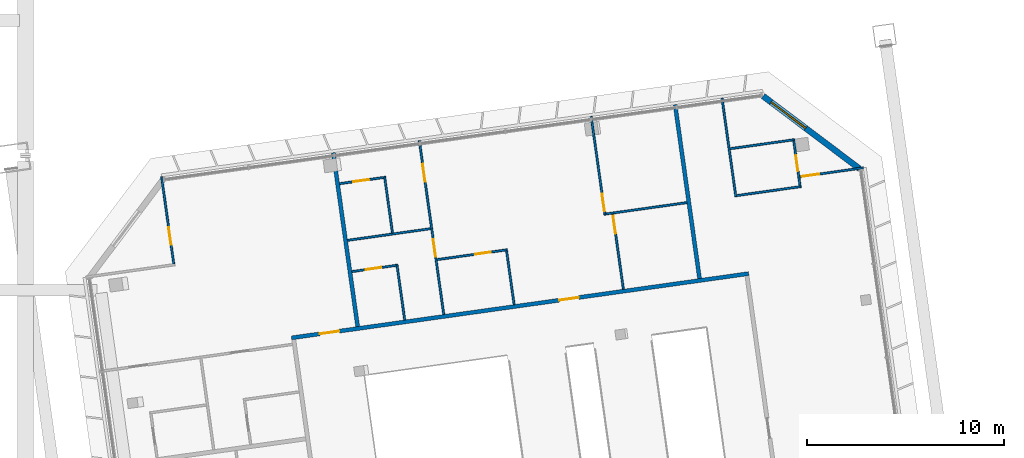
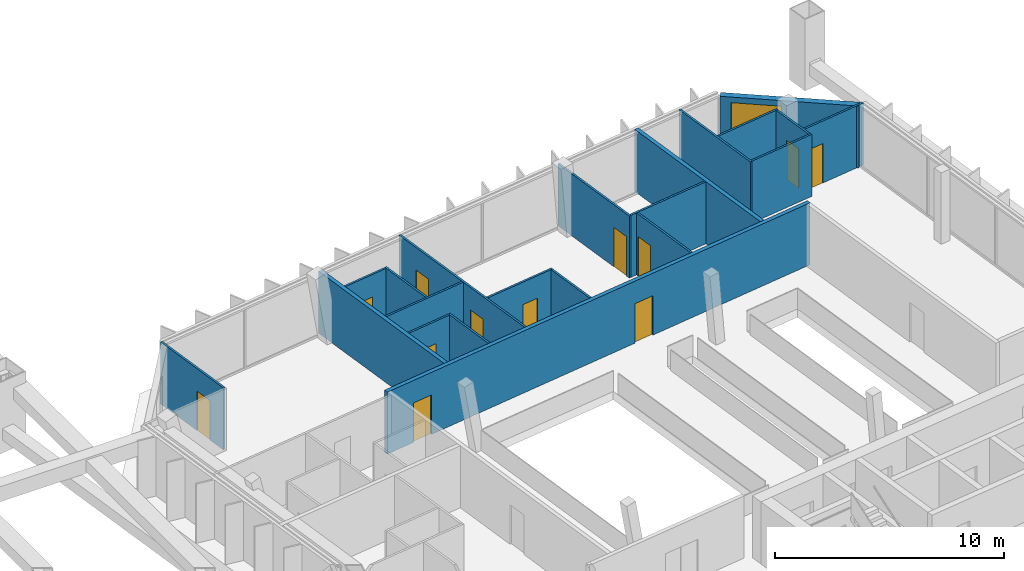
# One storey, part 26 of 36: 21 walls, 12 doors, 1 window, 13 openings.
"""IFC4 building model written with IfcOpenShell, lengths in metres."""

import ifcopenshell
import ifcopenshell.guid

model = None  # the IFC model being written
_history = None  # IfcOwnerHistory: only IFC2X3 demands one
_inside = {}  # id of a spatial element -> (the spatial element, [elements in it])
_under = {}  # id of a project, library or spatial element -> (it, [spatial elements below it])
_declared = {}  # id of a project -> (the project, [libraries it declares])
_typed = {}  # id of a type object -> (the type object, [elements of that type])
_made_of = {}  # id of a material, layer set ... -> (it, [elements and type objects made of it])


def new_model(schema):
    """Start an empty IFC model of exactly this schema.

    Asked for "IFC4X3", IfcOpenShell would pick the latest addendum, in which some entities
    have other attributes; the version numbers below select the first issue.
    IFC2X3 requires an IfcOwnerHistory on every rooted entity: one is made here for all.
    """
    global model, _history
    if schema == "IFC4X3":
        model = ifcopenshell.file(schema_version=(4, 3, 0, 0))
    else:
        model = ifcopenshell.file(schema=schema)
    _inside.clear()
    _under.clear()
    _declared.clear()
    _typed.clear()
    _made_of.clear()
    _history = None
    if model.schema == "IFC2X3":
        org = make("IfcOrganization", Name="unknown")
        user = make(
            "IfcPersonAndOrganization",
            ThePerson=make("IfcPerson", FamilyName="unknown"),
            TheOrganization=org,
        )
        app = make(
            "IfcApplication",
            ApplicationDeveloper=org,
            Version="unknown",
            ApplicationFullName="unknown",
            ApplicationIdentifier="unknown",
        )
        _history = make(
            "IfcOwnerHistory",
            OwningUser=user,
            OwningApplication=app,
            ChangeAction="ADDED",
            CreationDate=0,
        )
    return model


def make(cls, **values):
    """One entity of the class cls with the attributes given. An attribute that is None is left unset."""
    return model.create_entity(
        cls, **{name: value for name, value in values.items() if value is not None}
    )


def rooted(cls, **values):
    """An entity with a GlobalId (a new one), such as an element, a storey or a relation."""
    return make(cls, GlobalId=ifcopenshell.guid.new(), OwnerHistory=_history, **values)


def si_unit(unit_type, name, prefix=None):
    """IfcSIUnit, for example si_unit("LENGTHUNIT", "METRE", prefix="MILLI")."""
    return make("IfcSIUnit", UnitType=unit_type, Prefix=prefix, Name=name)


def assignment(units):
    """IfcUnitAssignment: the units of a project."""
    return None if units is None else make("IfcUnitAssignment", Units=units)


def point(xyz):
    """IfcCartesianPoint."""
    return None if xyz is None else make("IfcCartesianPoint", Coordinates=xyz)


def direction(xyz):
    """IfcDirection."""
    return None if xyz is None else make("IfcDirection", DirectionRatios=xyz)


def frame(location, z_axis=None, x_axis=None):
    """IfcAxis2Placement3D, a coordinate frame: its origin and axes. An axis left out is left unset."""
    return make(
        "IfcAxis2Placement3D",
        Location=point(location),
        Axis=direction(z_axis),
        RefDirection=direction(x_axis),
    )


def frame_2d(location, x_axis=None):
    """IfcAxis2Placement2D, a coordinate frame in the plane: its origin and x axis."""
    return make(
        "IfcAxis2Placement2D", Location=point(location), RefDirection=direction(x_axis)
    )


def origin():
    """The frame at (0, 0, 0) with its axes left unset."""
    return frame((0.0, 0.0, 0.0))


def place(relative_to, where):
    """IfcLocalPlacement: puts the frame where relative to a parent placement (None: the world)."""
    return make(
        "IfcLocalPlacement", PlacementRelTo=relative_to, RelativePlacement=where
    )


def context(
    kind, dimensions, precision=None, world=None, true_north=None, identifier=None
):
    """IfcGeometricRepresentationContext, for example the 3D "Model" context."""
    return make(
        "IfcGeometricRepresentationContext",
        ContextIdentifier=identifier,
        ContextType=kind,
        CoordinateSpaceDimension=dimensions,
        Precision=precision,
        WorldCoordinateSystem=world,
        TrueNorth=true_north,
    )


def subcontext(parent, identifier, kind, view, scale=None):
    """IfcGeometricRepresentationSubContext, for example "Body" below "Model"."""
    return make(
        "IfcGeometricRepresentationSubContext",
        ContextIdentifier=identifier,
        ContextType=kind,
        ParentContext=parent,
        TargetScale=scale,
        TargetView=view,
    )


def project(units=None, contexts=None):
    """IfcProject with its units and contexts."""
    return rooted(
        "IfcProject",
        Name="project",
        RepresentationContexts=contexts,
        UnitsInContext=assignment(units),
    )


def spatial(cls, under=None, at=None, **own):
    """A site, building, storey or space (cls), placed at a placement, below another one or the project."""
    s = rooted(cls, ObjectPlacement=at, **own)
    if under is not None:
        _under.setdefault(under.id(), (under, []))[1].append(s)
    return s


def profile(cls, at=None, kind="AREA", **sizes):
    """A parametric profile (cls). Its sizes go by their IFC names, for example OverallWidth=200.0."""
    return make(cls, ProfileType=kind, Position=at, **sizes)


def rectangle(**sizes):
    """IfcRectangleProfileDef."""
    return profile("IfcRectangleProfileDef", **sizes)


def extrude(swept, where, along, depth):
    """IfcExtrudedAreaSolid: the profile swept, set in the frame where, extruded along a direction by depth."""
    return make(
        "IfcExtrudedAreaSolid",
        SweptArea=swept,
        Position=where,
        ExtrudedDirection=direction(along),
        Depth=depth,
    )


def shape(context_of_items, identifier, shape_type, items):
    """IfcShapeRepresentation: the items that make up one representation, for example the "Body"."""
    return make(
        "IfcShapeRepresentation",
        ContextOfItems=context_of_items,
        RepresentationIdentifier=identifier,
        RepresentationType=shape_type,
        Items=items,
    )


def material(Name=None, Category=None):
    """IfcMaterial."""
    return make("IfcMaterial", Name=Name, Category=Category)


def layer(
    of_material, thickness, ventilated=None, Name=None, Category=None, Priority=None
):
    """IfcMaterialLayer: one layer of a wall or slab, of a material (None: an air gap)."""
    return make(
        "IfcMaterialLayer",
        Material=of_material,
        LayerThickness=thickness,
        IsVentilated=ventilated,
        Name=Name,
        Category=Category,
        Priority=Priority,
    )


def layer_set(layers, Name=None):
    """IfcMaterialLayerSet."""
    return make("IfcMaterialLayerSet", MaterialLayers=layers, LayerSetName=Name)


def made_of(thing, what):
    """Note that an element or type object is made of a material, layer set ...; save() writes the relation."""
    if what is not None:
        _made_of.setdefault(what.id(), (what, []))[1].append(thing)
    return thing


def type_object(cls, material=None, **own):
    """A type object (cls), such as IfcWallType, which elements share."""
    return made_of(rooted(cls, **own), material)


def element(
    cls,
    number,
    at=None,
    inside=None,
    cuts=None,
    type_object=None,
    material=None,
    context=None,
    identifier="Body",
    shape_type=None,
    held_by="IfcProductDefinitionShape",
    body=None,
    shapes=None,
    **own,
):
    """One element of the class cls, such as IfcWall. Its Tag is "e" and its number.

    at: its placement. inside: the storey or other place that contains it. cuts: it is an
    opening in that element (IfcRelVoidsElement). A single representation is given by context,
    identifier, shape_type and body (its items); several are given by shapes. held_by: the class
    of the entity that holds the representations. save() writes the other relations.
    """
    e = rooted(cls, Tag="e%d" % number, ObjectPlacement=at, **own)
    if body is not None:
        shapes = [shape(context, identifier, shape_type, body)]
    if shapes is not None:
        e.Representation = make(held_by, Representations=shapes)
    if inside is not None:
        _inside.setdefault(inside.id(), (inside, []))[1].append(e)
    if cuts is not None:
        rooted(
            "IfcRelVoidsElement", RelatingBuildingElement=cuts, RelatedOpeningElement=e
        )
    if type_object is not None:
        _typed.setdefault(type_object.id(), (type_object, []))[1].append(e)
    return made_of(e, material)


def fill(opening, filler):
    """IfcRelFillsElement: the door or window that sits in an opening."""
    return rooted(
        "IfcRelFillsElement",
        RelatingOpeningElement=opening,
        RelatedBuildingElement=filler,
    )


def aggregate(whole, parts):
    """IfcRelAggregates: a whole, such as a stair, and the parts it consists of."""
    return rooted("IfcRelAggregates", RelatingObject=whole, RelatedObjects=parts)


def save(model, path):
    """Write the relations noted so far, then the file.

    IfcRelAggregates (storeys below a building ...), IfcRelContainedInSpatialStructure (elements
    in a storey), IfcRelDefinesByType, IfcRelAssociatesMaterial and IfcRelDeclares: one each for
    every whole, place, type object, material and project.
    """
    for whole, parts in _under.values():
        aggregate(whole, parts)
    for where, things in _inside.values():
        rooted(
            "IfcRelContainedInSpatialStructure",
            RelatedElements=things,
            RelatingStructure=where,
        )
    for kind, things in _typed.values():
        rooted("IfcRelDefinesByType", RelatedObjects=things, RelatingType=kind)
    for what, things in _made_of.values():
        rooted("IfcRelAssociatesMaterial", RelatedObjects=things, RelatingMaterial=what)
    for by, libraries in _declared.values():
        rooted("IfcRelDeclares", RelatingContext=by, RelatedDefinitions=libraries)
    model.write(path)


model = new_model("IFC4")

# Units and contexts
model_context = context("Model", 3, precision=1e-05, world=origin(), true_north=direction((0.0, 1.0)))
body_context = subcontext(model_context, "Body", "Model", "MODEL_VIEW")
ifc_project = project(units=[si_unit("LENGTHUNIT", "METRE"), si_unit("AREAUNIT", "SQUARE_METRE"), si_unit("VOLUMEUNIT", "CUBIC_METRE"), si_unit("PLANEANGLEUNIT", "RADIAN"), si_unit("MASSUNIT", "GRAM", prefix="KILO")], contexts=[model_context])

# Site, building, storey
site_placement = place(None, origin())
site = spatial("IfcSite", under=ifc_project, at=site_placement, CompositionType="ELEMENT")
building_placement = place(site_placement, origin())
building = spatial("IfcBuilding", under=site, at=building_placement, Name="Mirante Cascada Hotel Towers", CompositionType="ELEMENT")
storey_placement = place(building_placement, frame((0.0, 0.0, 254.6)))
storey = spatial("IfcBuildingStorey", under=building, at=storey_placement, Name="L61", CompositionType="ELEMENT", Elevation=254.6)

# Wall, openings, doors
ifc_material_1 = material(Name="Fire-rated plasterboard on metal studs")
ifc_layer_1 = layer(ifc_material_1, 0.2)
ifc_layer_set_1 = layer_set([ifc_layer_1], Name="Compartment wall 200 EI 120")
wall_type_1 = type_object("IfcWallType", Name="Compartment wall 200 EI 120", PredefinedType="PARTITIONING", material=ifc_layer_set_1)
wall_1_placement = place(storey_placement, frame((48.9088, 10.7557, 0.0), z_axis=(0.0, 0.0, 1.0), x_axis=(-0.9902684, -0.1391708, 0.0)))
wall_1 = element("IfcWall", 1, at=wall_1_placement, inside=storey, type_object=wall_type_1, Name="Wall 2-L61-15", PredefinedType="PARTITIONING", context=body_context, shape_type="SweptSolid", body=[
    extrude(rectangle(XDim=23.4, YDim=0.2, at=frame_2d((11.7, 0.0))), origin(), (0.0, 0.0, 1.0), 3.3),
])
opening_1_placement = place(wall_1_placement, frame((20.95, 0.0, 0.0)))
opening_1 = element("IfcOpeningElement", 2, at=opening_1_placement, cuts=wall_1, Name="Opening D2-L61-07", PredefinedType="OPENING", context=body_context, shape_type="SweptSolid", body=[
    extrude(rectangle(XDim=1.0, YDim=2.1, at=frame_2d((0.5, 1.05))), frame((0.0, 0.1, 0.0), z_axis=(0.0, -1.0, 0.0), x_axis=(1.0, 0.0, 0.0)), (0.0, 0.0, 1.0), 0.2),
])
opening_2_placement = place(wall_1_placement, frame((8.6948, 0.0, 0.0)))
opening_2 = element("IfcOpeningElement", 3, at=opening_2_placement, cuts=wall_1, Name="Opening D2-L61-08", PredefinedType="OPENING", context=body_context, shape_type="SweptSolid", body=[
    extrude(rectangle(XDim=1.0, YDim=2.1, at=frame_2d((0.5, 1.05))), frame((0.0, 0.1, 0.0), z_axis=(0.0, -1.0, 0.0), x_axis=(1.0, 0.0, 0.0)), (0.0, 0.0, 1.0), 0.2),
])
ifc_material_2 = material(Name="Fire-rated timber door leaf", Category="wood")
door_type_1 = type_object("IfcDoorType", Name="Entrance door DG1 1000x2100 EI 60", OperationType="SINGLE_SWING_LEFT", PredefinedType="DOOR", material=ifc_material_2)
door_1_placement = place(opening_1_placement, frame((1.0, 0.0, 0.0), z_axis=(0.0, 0.0, 1.0), x_axis=(-1.0, 0.0, 0.0)))
door_1 = element("IfcDoor", 4, at=door_1_placement, inside=storey, type_object=door_type_1, Name="Door D2-L61-07", OperationType="SINGLE_SWING_RIGHT", OverallHeight=2.1, OverallWidth=1.0, PredefinedType="DOOR", context=body_context, shape_type="SweptSolid", body=[
    extrude(rectangle(XDim=1.0, YDim=2.1, at=frame_2d((0.5, 1.05))), frame((0.0, 0.025, 0.0), z_axis=(0.0, -1.0, 0.0), x_axis=(1.0, 0.0, 0.0)), (0.0, 0.0, 1.0), 0.05),
])
fill(opening_1, door_1)
door_2_placement = place(opening_2_placement, frame((1.0, 0.0, 0.0), z_axis=(0.0, 0.0, 1.0), x_axis=(-1.0, 0.0, 0.0)))
door_2 = element("IfcDoor", 5, at=door_2_placement, inside=storey, type_object=door_type_1, Name="Door D2-L61-08", OperationType="SINGLE_SWING_RIGHT", OverallHeight=2.1, OverallWidth=1.0, PredefinedType="DOOR", context=body_context, shape_type="SweptSolid", body=[
    extrude(rectangle(XDim=1.0, YDim=2.1, at=frame_2d((0.5, 1.05))), frame((0.0, 0.025, 0.0), z_axis=(0.0, -1.0, 0.0), x_axis=(1.0, 0.0, 0.0)), (0.0, 0.0, 1.0), 0.05),
])
fill(opening_2, door_2)

# Walls
for number, where, z_axis, x_axis, name in (
    (6, (27.8508, 16.8847, 0.0), (0.0, 0.0, 1.0), (0.1391794, -0.9902672, 0.0), "Wall 2-L61-39"),
    (7, (46.4192, 10.5068, 0.0), (0.0, 0.0, 1.0), (-0.1391794, 0.9902672, 0.0), "Wall 2-L61-46"),
):
    element("IfcWall", number, at=place(storey_placement, frame(where, z_axis=z_axis, x_axis=x_axis)), inside=storey, type_object=wall_type_1, Name=name, PredefinedType="PARTITIONING", context=body_context, shape_type="SweptSolid", body=[
        extrude(rectangle(XDim=8.9, YDim=0.2, at=frame_2d((4.45, 0.0))), origin(), (0.0, 0.0, 1.0), 3.3),
    ])

# Wall, opening, door
ifc_material_3 = material(Name="Plasterboard on metal studs")
ifc_layer_2 = layer(ifc_material_3, 0.1)
ifc_layer_set_2 = layer_set([ifc_layer_2], Name="Partition 100")
wall_type_2 = type_object("IfcWallType", Name="Partition 100", PredefinedType="PARTITIONING", material=ifc_layer_set_2)
wall_2_placement = place(storey_placement, frame((28.7988, 10.858, 0.0), z_axis=(0.0, 0.0, 1.0), x_axis=(0.990271, 0.1391524, 0.0)))
wall_2 = element("IfcWall", 8, at=wall_2_placement, inside=storey, type_object=wall_type_2, Name="Wall 2-L61-16", PredefinedType="PARTITIONING", context=body_context, shape_type="SweptSolid", body=[
    extrude(rectangle(XDim=2.2587, YDim=0.1, at=frame_2d((1.1294, 0.0))), origin(), (0.0, 0.0, 1.0), 3.3),
])
opening_3_placement = place(wall_2_placement, frame((0.7087, 0.0, 0.0)))
opening_3 = element("IfcOpeningElement", 9, at=opening_3_placement, cuts=wall_2, Name="Opening D2-L61-09", PredefinedType="OPENING", context=body_context, shape_type="SweptSolid", body=[
    extrude(rectangle(XDim=0.8, YDim=2.1, at=frame_2d((0.4, 1.05))), frame((0.0, 0.05, 0.0), z_axis=(0.0, -1.0, 0.0), x_axis=(1.0, 0.0, 0.0)), (0.0, 0.0, 1.0), 0.1),
])
ifc_material_4 = material(Name="Timber door leaf", Category="wood")
door_type_2 = type_object("IfcDoorType", Name="Bathroom door DG4 800x2100", OperationType="SINGLE_SWING_LEFT", PredefinedType="DOOR", material=ifc_material_4)
door_3_placement = place(opening_3_placement, frame((0.8, 0.0, 0.0), z_axis=(0.0, 0.0, 1.0), x_axis=(-1.0, 0.0, 0.0)))
door_3 = element("IfcDoor", 10, at=door_3_placement, inside=storey, type_object=door_type_2, Name="Door D2-L61-09", OperationType="SINGLE_SWING_RIGHT", OverallHeight=2.1, OverallWidth=0.8, PredefinedType="DOOR", context=body_context, shape_type="SweptSolid", body=[
    extrude(rectangle(XDim=0.8, YDim=2.1, at=frame_2d((0.4, 1.05))), frame((0.0, 0.025, 0.0), z_axis=(0.0, -1.0, 0.0), x_axis=(1.0, 0.0, 0.0)), (0.0, 0.0, 1.0), 0.05),
])
fill(opening_3, door_3)

wall_3_placement = place(storey_placement, frame((36.6801, 11.9656, 0.0), z_axis=(0.0, 0.0, 1.0), x_axis=(-0.9902673, -0.1391783, 0.0)))
wall_3 = element("IfcWall", 11, at=wall_3_placement, inside=storey, type_object=wall_type_2, Name="Wall 2-L61-17", PredefinedType="PARTITIONING", context=body_context, shape_type="SweptSolid", body=[
    extrude(rectangle(XDim=3.6019, YDim=0.1, at=frame_2d((1.801, 0.0))), origin(), (0.0, 0.0, 1.0), 3.3),
])
opening_4_placement = place(wall_3_placement, frame((0.85, 0.0, 0.0)))
opening_4 = element("IfcOpeningElement", 12, at=opening_4_placement, cuts=wall_3, Name="Opening D2-L61-10", PredefinedType="OPENING", context=body_context, shape_type="SweptSolid", body=[
    extrude(rectangle(XDim=0.8, YDim=2.1, at=frame_2d((0.4, 1.05))), frame((0.0, 0.05, 0.0), z_axis=(0.0, -1.0, 0.0), x_axis=(1.0, 0.0, 0.0)), (0.0, 0.0, 1.0), 0.1),
])
door_4_placement = place(opening_4_placement, frame((0.8, 0.0, 0.0), z_axis=(0.0, 0.0, 1.0), x_axis=(-1.0, 0.0, 0.0)))
door_4 = element("IfcDoor", 13, at=door_4_placement, inside=storey, type_object=door_type_2, Name="Door D2-L61-10", OperationType="SINGLE_SWING_RIGHT", OverallHeight=2.1, OverallWidth=0.8, PredefinedType="DOOR", context=body_context, shape_type="SweptSolid", body=[
    extrude(rectangle(XDim=0.8, YDim=2.1, at=frame_2d((0.4, 1.05))), frame((0.0, 0.025, 0.0), z_axis=(0.0, -1.0, 0.0), x_axis=(1.0, 0.0, 0.0)), (0.0, 0.0, 1.0), 0.05),
])
fill(opening_4, door_4)

# Walls
wall_4_placement = place(storey_placement, frame((41.6712, 13.7779, 0.0), z_axis=(0.0, 0.0, 1.0), x_axis=(0.9902677, 0.1391758, 0.0)))
element("IfcWall", 14, at=wall_4_placement, inside=storey, type_object=wall_type_2, Name="Wall 2-L61-18", PredefinedType="PARTITIONING", context=body_context, shape_type="SweptSolid", body=[
    extrude(rectangle(XDim=4.1466, YDim=0.1, at=frame_2d((2.0733, 0.0))), origin(), (0.0, 0.0, 1.0), 3.3),
])
wall_5_placement = place(storey_placement, frame((51.5704, 15.1691, 0.0), z_axis=(0.0, 0.0, 1.0), x_axis=(-0.9902664, -0.1391852, 0.0)))
element("IfcWall", 15, at=wall_5_placement, inside=storey, type_object=wall_type_2, Name="Wall 2-L61-19", PredefinedType="PARTITIONING", context=body_context, shape_type="SweptSolid", body=[
    extrude(rectangle(XDim=3.2999, YDim=0.1, at=frame_2d((1.65, 0.0))), origin(), (0.0, 0.0, 1.0), 3.3),
])
wall_6_placement = place(storey_placement, frame((32.7916, 13.0348, 0.0), z_axis=(0.0, 0.0, 1.0), x_axis=(-0.9902692, -0.1391648, 0.0)))
element("IfcWall", 16, at=wall_6_placement, inside=storey, type_object=wall_type_2, Name="Wall 2-L61-21", PredefinedType="PARTITIONING", context=body_context, shape_type="SweptSolid", body=[
    extrude(rectangle(XDim=4.2568, YDim=0.1, at=frame_2d((2.1284, 0.0))), origin(), (0.0, 0.0, 1.0), 3.3),
])

# Wall, opening, door
wall_7_placement = place(storey_placement, frame((51.5009, 15.6642, 0.0), z_axis=(0.0, 0.0, 1.0), x_axis=(0.9902639, 0.1392025, 0.0)))
wall_7 = element("IfcWall", 17, at=wall_7_placement, inside=storey, type_object=wall_type_2, Name="Wall 2-L61-22", PredefinedType="PARTITIONING", context=body_context, shape_type="SweptSolid", body=[
    extrude(rectangle(XDim=3.2499, YDim=0.1, at=frame_2d((1.6249, 0.0))), origin(), (0.0, 0.0, 1.0), 3.3),
])
opening_5_placement = place(wall_7_placement, frame((0.1, 0.0, 0.0)))
opening_5 = element("IfcOpeningElement", 18, at=opening_5_placement, cuts=wall_7, Name="Opening D2-L61-11", PredefinedType="OPENING", context=body_context, shape_type="SweptSolid", body=[
    extrude(rectangle(XDim=0.9, YDim=2.1, at=frame_2d((0.45, 1.05))), frame((0.0, 0.05, 0.0), z_axis=(0.0, -1.0, 0.0), x_axis=(1.0, 0.0, 0.0)), (0.0, 0.0, 1.0), 0.1),
])
ifc_material_5 = material(Name="Timber door leaf", Category="wood")
door_type_3 = type_object("IfcDoorType", Name="Room door DG3 900x2100", OperationType="SINGLE_SWING_LEFT", PredefinedType="DOOR", material=ifc_material_5)
door_5_placement = place(opening_5_placement, frame((0.9, 0.0, 0.0), z_axis=(0.0, 0.0, 1.0), x_axis=(-1.0, 0.0, 0.0)))
door_5 = element("IfcDoor", 19, at=door_5_placement, inside=storey, type_object=door_type_3, Name="Door D2-L61-11", OperationType="SINGLE_SWING_RIGHT", OverallHeight=2.1, OverallWidth=0.9, PredefinedType="DOOR", context=body_context, shape_type="SweptSolid", body=[
    extrude(rectangle(XDim=0.9, YDim=2.1, at=frame_2d((0.45, 1.05))), frame((0.0, 0.025, 0.0), z_axis=(0.0, -1.0, 0.0), x_axis=(1.0, 0.0, 0.0)), (0.0, 0.0, 1.0), 0.05),
])
fill(opening_5, door_5)

# Wall
wall_8_placement = place(storey_placement, frame((51.2364, 17.5458, 0.0), z_axis=(0.0, 0.0, 1.0), x_axis=(-0.990267, -0.139181, 0.0)))
element("IfcWall", 20, at=wall_8_placement, inside=storey, type_object=wall_type_2, Name="Wall 2-L61-23", PredefinedType="PARTITIONING", context=body_context, shape_type="SweptSolid", body=[
    extrude(rectangle(XDim=3.3, YDim=0.1, at=frame_2d((1.65, 0.0))), origin(), (0.0, 0.0, 1.0), 3.3),
])

# Wall, opening, door
wall_9_placement = place(storey_placement, frame((28.1725, 15.3142, 0.0), z_axis=(0.0, 0.0, 1.0), x_axis=(0.9902718, 0.1391463, 0.0)))
wall_9 = element("IfcWall", 21, at=wall_9_placement, inside=storey, type_object=wall_type_2, Name="Wall 2-L61-24", PredefinedType="PARTITIONING", context=body_context, shape_type="SweptSolid", body=[
    extrude(rectangle(XDim=2.2588, YDim=0.1, at=frame_2d((1.1294, 0.0))), origin(), (0.0, 0.0, 1.0), 3.3),
])
opening_6_placement = place(wall_9_placement, frame((0.7087, 0.0, 0.0)))
opening_6 = element("IfcOpeningElement", 22, at=opening_6_placement, cuts=wall_9, Name="Opening D2-L61-12", PredefinedType="OPENING", context=body_context, shape_type="SweptSolid", body=[
    extrude(rectangle(XDim=0.8, YDim=2.1, at=frame_2d((0.4, 1.05))), frame((0.0, 0.05, 0.0), z_axis=(0.0, -1.0, 0.0), x_axis=(1.0, 0.0, 0.0)), (0.0, 0.0, 1.0), 0.1),
])
door_6_placement = place(opening_6_placement, frame((0.8, 0.0, 0.0), z_axis=(0.0, 0.0, 1.0), x_axis=(-1.0, 0.0, 0.0)))
door_6 = element("IfcDoor", 23, at=door_6_placement, inside=storey, type_object=door_type_2, Name="Door D2-L61-12", OperationType="SINGLE_SWING_RIGHT", OverallHeight=2.1, OverallWidth=0.8, PredefinedType="DOOR", context=body_context, shape_type="SweptSolid", body=[
    extrude(rectangle(XDim=0.8, YDim=2.1, at=frame_2d((0.4, 1.05))), frame((0.0, 0.025, 0.0), z_axis=(0.0, -1.0, 0.0), x_axis=(1.0, 0.0, 0.0)), (0.0, 0.0, 1.0), 0.05),
])
fill(opening_6, door_6)

wall_10_placement = place(storey_placement, frame((19.1485, 15.6616, 0.0), z_axis=(0.0, 0.0, 1.0), x_axis=(0.1391684, -0.9902687, 0.0)))
wall_10 = element("IfcWall", 24, at=wall_10_placement, inside=storey, type_object=wall_type_2, Name="Wall 2-L61-31", PredefinedType="PARTITIONING", context=body_context, shape_type="SweptSolid", body=[
    extrude(rectangle(XDim=4.45, YDim=0.1, at=frame_2d((2.225, 0.0))), origin(), (0.0, 0.0, 1.0), 3.3),
])
opening_7_placement = place(wall_10_placement, frame((2.5833, 0.0, 0.0)))
opening_7 = element("IfcOpeningElement", 25, at=opening_7_placement, cuts=wall_10, Name="Opening D2-L61-17", PredefinedType="OPENING", context=body_context, shape_type="SweptSolid", body=[
    extrude(rectangle(XDim=0.9, YDim=2.1, at=frame_2d((0.45, 1.05))), frame((0.0, 0.05, 0.0), z_axis=(0.0, -1.0, 0.0), x_axis=(1.0, 0.0, 0.0)), (0.0, 0.0, 1.0), 0.1),
])
door_7_placement = place(opening_7_placement, origin())
door_7 = element("IfcDoor", 26, at=door_7_placement, inside=storey, type_object=door_type_3, Name="Door D2-L61-17", OperationType="SINGLE_SWING_LEFT", OverallHeight=2.1, OverallWidth=0.9, PredefinedType="DOOR", context=body_context, shape_type="SweptSolid", body=[
    extrude(rectangle(XDim=0.9, YDim=2.1, at=frame_2d((0.45, 1.05))), frame((0.0, 0.025, 0.0), z_axis=(0.0, -1.0, 0.0), x_axis=(1.0, 0.0, 0.0)), (0.0, 0.0, 1.0), 0.05),
])
fill(opening_7, door_7)

# Walls
wall_11_placement = place(storey_placement, frame((31.4747, 8.4065, 0.0), z_axis=(0.0, 0.0, 1.0), x_axis=(-0.1391564, 0.9902704, 0.0)))
element("IfcWall", 27, at=wall_11_placement, inside=storey, type_object=wall_type_2, Name="Wall 2-L61-40", PredefinedType="PARTITIONING", context=body_context, shape_type="SweptSolid", body=[
    extrude(rectangle(XDim=2.85, YDim=0.1, at=frame_2d((1.425, 0.0))), origin(), (0.0, 0.0, 1.0), 3.3),
])
wall_12_placement = place(storey_placement, frame((30.4518, 15.685, 0.0), z_axis=(0.0, 0.0, 1.0), x_axis=(0.1391714, -0.9902683, 0.0)))
element("IfcWall", 28, at=wall_12_placement, inside=storey, type_object=wall_type_2, Name="Wall 2-L61-41", PredefinedType="PARTITIONING", context=body_context, shape_type="SweptSolid", body=[
    extrude(rectangle(XDim=2.9, YDim=0.1, at=frame_2d((1.45, 0.0))), origin(), (0.0, 0.0, 1.0), 3.3),
])

# Wall, openings, doors
wall_13_placement = place(storey_placement, frame((33.4535, 8.6846, 0.0), z_axis=(0.0, 0.0, 1.0), x_axis=(-0.1391684, 0.9902687, 0.0)))
wall_13 = element("IfcWall", 29, at=wall_13_placement, inside=storey, type_object=wall_type_2, Name="Wall 2-L61-42", PredefinedType="PARTITIONING", context=body_context, shape_type="SweptSolid", body=[
    extrude(rectangle(XDim=8.9, YDim=0.1, at=frame_2d((4.45, 0.0))), origin(), (0.0, 0.0, 1.0), 3.3),
])
opening_8_placement = place(wall_13_placement, frame((2.95, 0.0, 0.0)))
opening_8 = element("IfcOpeningElement", 30, at=opening_8_placement, cuts=wall_13, Name="Opening D2-L61-22", PredefinedType="OPENING", context=body_context, shape_type="SweptSolid", body=[
    extrude(rectangle(XDim=0.9, YDim=2.1, at=frame_2d((0.45, 1.05))), frame((0.0, 0.05, 0.0), z_axis=(0.0, -1.0, 0.0), x_axis=(1.0, 0.0, 0.0)), (0.0, 0.0, 1.0), 0.1),
])
opening_9_placement = place(wall_13_placement, frame((6.8, 0.0, 0.0)))
opening_9 = element("IfcOpeningElement", 31, at=opening_9_placement, cuts=wall_13, Name="Opening D2-L61-23", PredefinedType="OPENING", context=body_context, shape_type="SweptSolid", body=[
    extrude(rectangle(XDim=0.9, YDim=2.1, at=frame_2d((0.45, 1.05))), frame((0.0, 0.05, 0.0), z_axis=(0.0, -1.0, 0.0), x_axis=(1.0, 0.0, 0.0)), (0.0, 0.0, 1.0), 0.1),
])
door_8_placement = place(opening_8_placement, frame((0.9, 0.0, 0.0), z_axis=(0.0, 0.0, 1.0), x_axis=(-1.0, 0.0, 0.0)))
door_8 = element("IfcDoor", 32, at=door_8_placement, inside=storey, type_object=door_type_3, Name="Door D2-L61-22", OperationType="SINGLE_SWING_RIGHT", OverallHeight=2.1, OverallWidth=0.9, PredefinedType="DOOR", context=body_context, shape_type="SweptSolid", body=[
    extrude(rectangle(XDim=0.9, YDim=2.1, at=frame_2d((0.45, 1.05))), frame((0.0, 0.025, 0.0), z_axis=(0.0, -1.0, 0.0), x_axis=(1.0, 0.0, 0.0)), (0.0, 0.0, 1.0), 0.05),
])
fill(opening_8, door_8)
door_9_placement = place(opening_9_placement, frame((0.9, 0.0, 0.0), z_axis=(0.0, 0.0, 1.0), x_axis=(-1.0, 0.0, 0.0)))
door_9 = element("IfcDoor", 33, at=door_9_placement, inside=storey, type_object=door_type_3, Name="Door D2-L61-23", OperationType="SINGLE_SWING_RIGHT", OverallHeight=2.1, OverallWidth=0.9, PredefinedType="DOOR", context=body_context, shape_type="SweptSolid", body=[
    extrude(rectangle(XDim=0.9, YDim=2.1, at=frame_2d((0.45, 1.05))), frame((0.0, 0.025, 0.0), z_axis=(0.0, -1.0, 0.0), x_axis=(1.0, 0.0, 0.0)), (0.0, 0.0, 1.0), 0.05),
])
fill(opening_9, door_9)

# Wall
wall_14_placement = place(storey_placement, frame((36.6375, 11.9091, 0.0), z_axis=(0.0, 0.0, 1.0), x_axis=(0.1391657, -0.9902691, 0.0)))
element("IfcWall", 34, at=wall_14_placement, inside=storey, type_object=wall_type_2, Name="Wall 2-L61-43", PredefinedType="PARTITIONING", context=body_context, shape_type="SweptSolid", body=[
    extrude(rectangle(XDim=2.75, YDim=0.1, at=frame_2d((1.375, 0.0))), origin(), (0.0, 0.0, 1.0), 3.3),
])

# Wall, opening, door
wall_15_placement = place(storey_placement, frame((41.6287, 13.7214, 0.0), z_axis=(0.0, 0.0, 1.0), x_axis=(-0.1391866, 0.9902662, 0.0)))
wall_15 = element("IfcWall", 35, at=wall_15_placement, inside=storey, type_object=wall_type_2, Name="Wall 2-L61-44", PredefinedType="PARTITIONING", context=body_context, shape_type="SweptSolid", body=[
    extrude(rectangle(XDim=5.0501, YDim=0.1, at=frame_2d((2.525, 0.0))), origin(), (0.0, 0.0, 1.0), 3.3),
])
opening_10_placement = place(wall_15_placement, frame((0.2, 0.0, 0.0)))
opening_10 = element("IfcOpeningElement", 36, at=opening_10_placement, cuts=wall_15, Name="Opening D2-L61-24", PredefinedType="OPENING", context=body_context, shape_type="SweptSolid", body=[
    extrude(rectangle(XDim=0.9, YDim=2.1, at=frame_2d((0.45, 1.05))), frame((0.0, 0.05, 0.0), z_axis=(0.0, -1.0, 0.0), x_axis=(1.0, 0.0, 0.0)), (0.0, 0.0, 1.0), 0.1),
])
door_10_placement = place(opening_10_placement, origin())
door_10 = element("IfcDoor", 37, at=door_10_placement, inside=storey, type_object=door_type_3, Name="Door D2-L61-24", OperationType="SINGLE_SWING_LEFT", OverallHeight=2.1, OverallWidth=0.9, PredefinedType="DOOR", context=body_context, shape_type="SweptSolid", body=[
    extrude(rectangle(XDim=0.9, YDim=2.1, at=frame_2d((0.45, 1.05))), frame((0.0, 0.025, 0.0), z_axis=(0.0, -1.0, 0.0), x_axis=(1.0, 0.0, 0.0)), (0.0, 0.0, 1.0), 0.05),
])
fill(opening_10, door_10)

wall_16_placement = place(storey_placement, frame((42.023, 13.7768, 0.0), z_axis=(0.0, 0.0, 1.0), x_axis=(0.1391701, -0.9902685, 0.0)))
wall_16 = element("IfcWall", 38, at=wall_16_placement, inside=storey, type_object=wall_type_2, Name="Wall 2-L61-45", PredefinedType="PARTITIONING", context=body_context, shape_type="SweptSolid", body=[
    extrude(rectangle(XDim=3.85, YDim=0.1, at=frame_2d((1.925, 0.0))), origin(), (0.0, 0.0, 1.0), 3.3),
])
opening_11_placement = place(wall_16_placement, frame((0.1, 0.0, 0.0)))
opening_11 = element("IfcOpeningElement", 39, at=opening_11_placement, cuts=wall_16, Name="Opening D2-L61-25", PredefinedType="OPENING", context=body_context, shape_type="SweptSolid", body=[
    extrude(rectangle(XDim=0.9, YDim=2.1, at=frame_2d((0.45, 1.05))), frame((0.0, 0.05, 0.0), z_axis=(0.0, -1.0, 0.0), x_axis=(1.0, 0.0, 0.0)), (0.0, 0.0, 1.0), 0.1),
])
door_11_placement = place(opening_11_placement, frame((0.9, 0.0, 0.0), z_axis=(0.0, 0.0, 1.0), x_axis=(-1.0, 0.0, 0.0)))
door_11 = element("IfcDoor", 40, at=door_11_placement, inside=storey, type_object=door_type_3, Name="Door D2-L61-25", OperationType="SINGLE_SWING_RIGHT", OverallHeight=2.1, OverallWidth=0.9, PredefinedType="DOOR", context=body_context, shape_type="SweptSolid", body=[
    extrude(rectangle(XDim=0.9, YDim=2.1, at=frame_2d((0.45, 1.05))), frame((0.0, 0.025, 0.0), z_axis=(0.0, -1.0, 0.0), x_axis=(1.0, 0.0, 0.0)), (0.0, 0.0, 1.0), 0.05),
])
fill(opening_11, door_11)

# Wall
wall_17_placement = place(storey_placement, frame((48.26, 14.6534, 0.0), z_axis=(0.0, 0.0, 1.0), x_axis=(-0.1391699, 0.9902685, 0.0)))
element("IfcWall", 41, at=wall_17_placement, inside=storey, type_object=wall_type_2, Name="Wall 2-L61-48", PredefinedType="PARTITIONING", context=body_context, shape_type="SweptSolid", body=[
    extrude(rectangle(XDim=5.0499, YDim=0.1, at=frame_2d((2.525, 0.0))), origin(), (0.0, 0.0, 1.0), 3.3),
])

# Wall, opening, door
wall_18_placement = place(storey_placement, frame((51.514, 15.2117, 0.0), z_axis=(0.0, 0.0, 1.0), x_axis=(-0.1391749, 0.9902678, 0.0)))
wall_18 = element("IfcWall", 42, at=wall_18_placement, inside=storey, type_object=wall_type_2, Name="Wall 2-L61-50", PredefinedType="PARTITIONING", context=body_context, shape_type="SweptSolid", body=[
    extrude(rectangle(XDim=2.3, YDim=0.1, at=frame_2d((1.15, 0.0))), origin(), (0.0, 0.0, 1.0), 3.3),
])
opening_12_placement = place(wall_18_placement, frame((0.75, 0.0, 0.0)))
opening_12 = element("IfcOpeningElement", 43, at=opening_12_placement, cuts=wall_18, Name="Opening D2-L61-27", PredefinedType="OPENING", context=body_context, shape_type="SweptSolid", body=[
    extrude(rectangle(XDim=0.8, YDim=2.1, at=frame_2d((0.4, 1.05))), frame((0.0, 0.05, 0.0), z_axis=(0.0, -1.0, 0.0), x_axis=(1.0, 0.0, 0.0)), (0.0, 0.0, 1.0), 0.1),
])
door_12_placement = place(opening_12_placement, origin())
door_12 = element("IfcDoor", 44, at=door_12_placement, inside=storey, type_object=door_type_2, Name="Door D2-L61-27", OperationType="SINGLE_SWING_LEFT", OverallHeight=2.1, OverallWidth=0.8, PredefinedType="DOOR", context=body_context, shape_type="SweptSolid", body=[
    extrude(rectangle(XDim=0.8, YDim=2.1, at=frame_2d((0.4, 1.05))), frame((0.0, 0.025, 0.0), z_axis=(0.0, -1.0, 0.0), x_axis=(1.0, 0.0, 0.0)), (0.0, 0.0, 1.0), 0.05),
])
fill(opening_12, door_12)

# Wall, opening, window
ifc_material_6 = material(Name="Precast concrete C40/50", Category="concrete")
ifc_layer_3 = layer(ifc_material_6, 0.3)
ifc_layer_set_3 = layer_set([ifc_layer_3], Name="Precast concrete C40/50 cladding wall 300")
wall_type_3 = type_object("IfcWallType", Name="Precast concrete C40/50 cladding wall 300", PredefinedType="STANDARD", material=ifc_layer_set_3)
wall_19_placement = place(storey_placement, frame((54.5298, 16.0715, 0.0), z_axis=(0.0, 0.0, 1.0), x_axis=(-0.7986362, 0.6018141, 0.0)))
wall_19 = element("IfcWall", 45, at=wall_19_placement, inside=storey, type_object=wall_type_3, Name="Corner cladding wall T2 L61 outer front", PredefinedType="STANDARD", context=body_context, shape_type="SweptSolid", body=[
    extrude(rectangle(XDim=6.1157, YDim=0.3, at=frame_2d((3.0578, 0.0))), origin(), (0.0, 0.0, 1.0), 3.3),
])
opening_13_placement = place(wall_19_placement, frame((3.4182, 0.0, 0.6)))
opening_13 = element("IfcOpeningElement", 46, at=opening_13_placement, cuts=wall_19, Name="Opening W2-61-05", PredefinedType="OPENING", context=body_context, shape_type="SweptSolid", body=[
    extrude(rectangle(XDim=2.2, YDim=2.4, at=frame_2d((1.1, 1.2))), frame((0.0, 0.15, 0.0), z_axis=(0.0, -1.0, 0.0), x_axis=(1.0, 0.0, 0.0)), (0.0, 0.0, 1.0), 0.3),
])
ifc_material_7 = material(Name="Aluminium frame with clear double glazing", Category="aluminium")
window_type = type_object("IfcWindowType", Name="Corner suite window 2200x2400", PartitioningType="DOUBLE_PANEL_VERTICAL", PredefinedType="WINDOW", material=ifc_material_7)
window_placement = place(opening_13_placement, origin())
window = element("IfcWindow", 47, at=window_placement, inside=storey, type_object=window_type, Name="Window W2-61-05", OverallHeight=2.4, OverallWidth=2.2, PartitioningType="SINGLE_PANEL", PredefinedType="WINDOW", context=body_context, shape_type="SweptSolid", body=[
    extrude(rectangle(XDim=2.2, YDim=2.4, at=frame_2d((1.1, 1.2))), frame((0.0, 0.03, 0.0), z_axis=(0.0, -1.0, 0.0), x_axis=(1.0, 0.0, 0.0)), (0.0, 0.0, 1.0), 0.06),
])
fill(opening_13, window)

save(model, "model.ifc")
